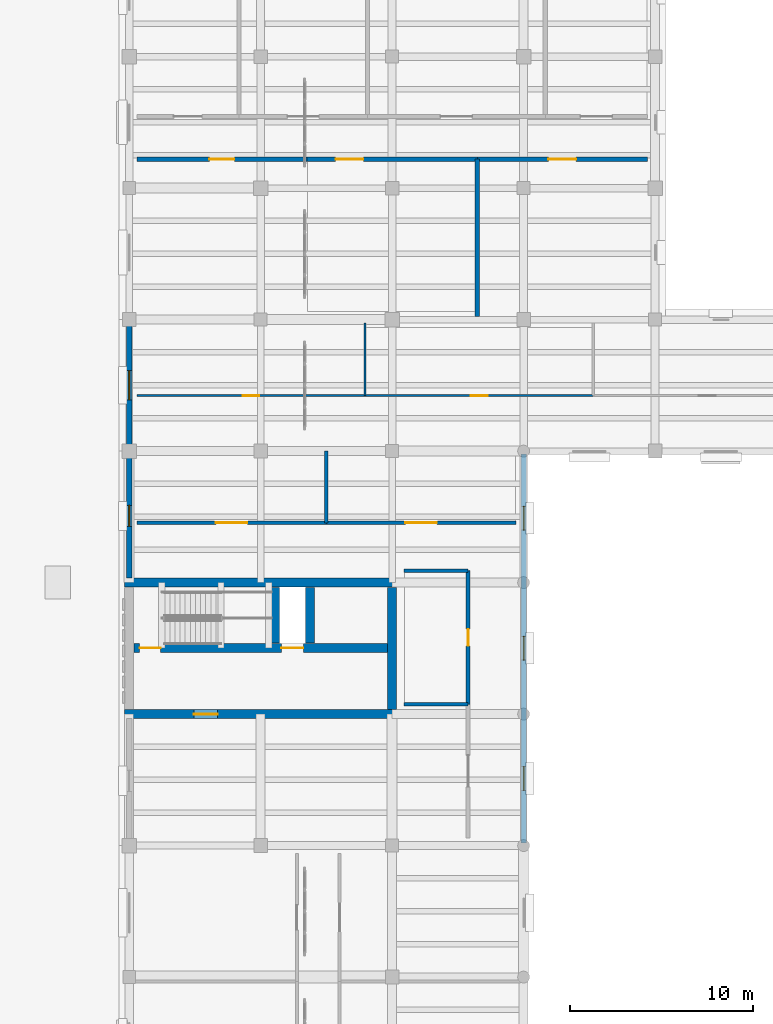
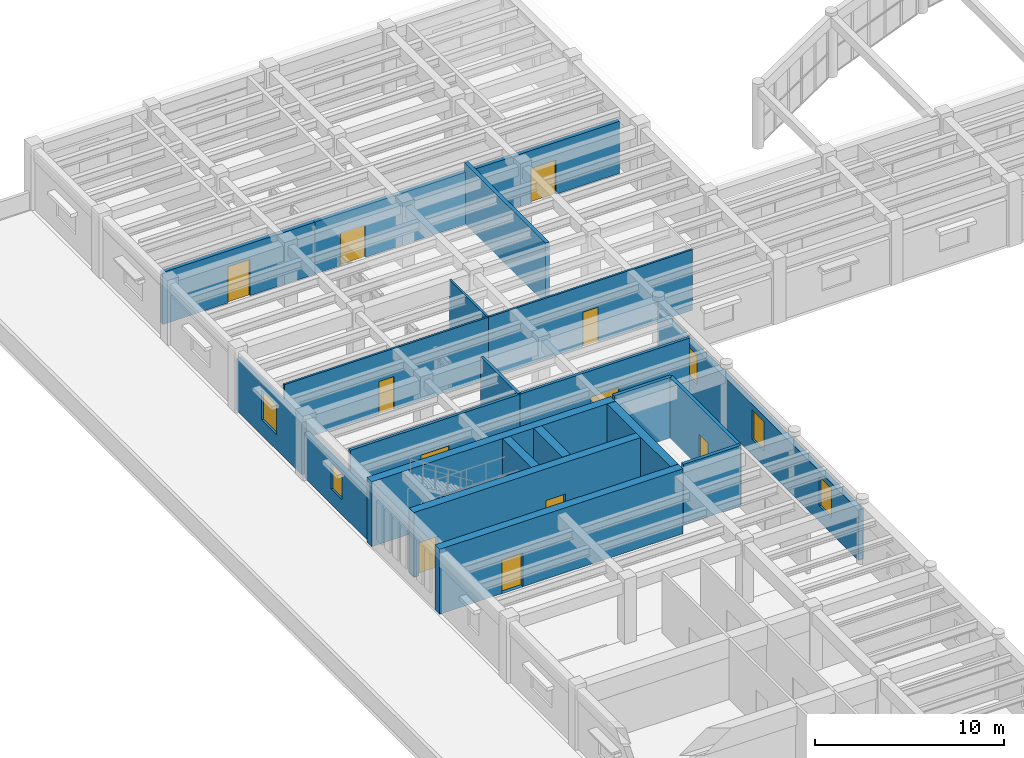
# One storey, part 54 of 76: 22 walls, 11 doors, 5 windows, 16 openings.
"""IFC4 building model written with IfcOpenShell, lengths in metres."""

from ifc_helpers import new_model, si_unit, direction, frame, frame_2d, origin, place, context, subcontext, project, spatial, rectangle, extrude, material, layer, layer_set, type_object, element, fill, save


model = new_model("IFC4")

# Units and contexts
model_context = context("Model", 3, precision=1e-05, world=origin(), true_north=direction((0.0, 1.0)))
body_context = subcontext(model_context, "Body", "Model", "MODEL_VIEW")
ifc_project = project(units=[si_unit("LENGTHUNIT", "METRE"), si_unit("AREAUNIT", "SQUARE_METRE"), si_unit("VOLUMEUNIT", "CUBIC_METRE"), si_unit("PLANEANGLEUNIT", "RADIAN"), si_unit("MASSUNIT", "GRAM", prefix="KILO")], contexts=[model_context])

# Site, building, storey
site_placement = place(None, origin())
site = spatial("IfcSite", under=ifc_project, at=site_placement, CompositionType="ELEMENT")
building_placement = place(site_placement, origin())
building = spatial("IfcBuilding", under=site, at=building_placement, Name="Mithqara Police Headquarters", CompositionType="ELEMENT")
storey_placement = place(building_placement, frame((0.0, 0.0, 5.39990234375)))
storey = spatial("IfcBuildingStorey", under=building, at=storey_placement, Name="L01", CompositionType="ELEMENT", Elevation=5.39990234375)

# Wall, opening, window
ifc_material_1 = material(Name="Ochre masonry cavity wall, 35 MPa", Category="masonry")
ifc_layer_1 = layer(ifc_material_1, 0.300048828125, Name="Ochre masonry cavity wall, 35 MPa")
ifc_layer_set_1 = layer_set([ifc_layer_1], Name="Ochre masonry cavity wall, 35 MPa")
wall_type_1 = type_object("IfcWallType", Name="EXT WALL OCHRE BRICK300", PredefinedType="SOLIDWALL", material=ifc_layer_set_1)
wall_1_placement = place(storey_placement, frame((7.800048828125, 85.64990234375, 0.0), z_axis=(0.0, 0.0, 1.0), x_axis=(0.0, -1.0, 0.0)))
wall_1 = element("IfcWall", 1, at=wall_1_placement, inside=storey, type_object=wall_type_1, Name="L01 Exterior Wall 16.1", PredefinedType="SOLIDWALL", context=body_context, shape_type="SweptSolid", body=[
    extrude(rectangle(XDim=6.89990234375, YDim=0.300048828125, at=frame_2d((3.449951171875, 0.0))), origin(), (0.0, 0.0, 1.0), 3.3701171875),
])
opening_1_placement = place(wall_1_placement, frame((2.64990234375, 0.0, 1.0)))
opening_1 = element("IfcOpeningElement", 2, at=opening_1_placement, cuts=wall_1, Name="Opening W-28", PredefinedType="OPENING", context=body_context, shape_type="SweptSolid", body=[
    extrude(rectangle(XDim=1.60009765625, YDim=1.89990234375, at=frame_2d((0.800048828125, 0.949951171875))), frame((0.0, 0.16015625, 0.0), z_axis=(0.0, -1.0, 0.0), x_axis=(1.0, 0.0, 0.0)), (0.0, 0.0, 1.0), 0.320068359375),
])
ifc_material_2 = material(Name="Spectrally selective double low-e glass", Category="glass")
window_type_1 = type_object("IfcWindowType", Name="WINDOW 1600X1900", PartitioningType="SINGLE_PANEL", PredefinedType="WINDOW", material=ifc_material_2)
window_1_placement = place(opening_1_placement, origin())
window_1 = element("IfcWindow", 3, at=window_1_placement, inside=storey, type_object=window_type_1, Name="L01 Deep-Set Punched Window 16.1", OverallHeight=1.89990234375, OverallWidth=1.60009765625, PartitioningType="SINGLE_PANEL", PredefinedType="WINDOW", context=body_context, shape_type="SweptSolid", body=[
    extrude(rectangle(XDim=1.60009765625, YDim=1.89990234375, at=frame_2d((0.800048828125, 0.949951171875))), frame((0.0, 0.030029296875, 0.0), z_axis=(0.0, -1.0, 0.0), x_axis=(1.0, 0.0, 0.0)), (0.0, 0.0, 1.0), 0.06005859375),
])
fill(opening_1, window_1)

wall_2_placement = place(storey_placement, frame((7.800048828125, 78.449951171875, 0.0), z_axis=(0.0, 0.0, 1.0), x_axis=(0.0, -1.0, 0.0)))
wall_2 = element("IfcWall", 4, at=wall_2_placement, inside=storey, type_object=wall_type_1, Name="L01 Exterior Wall 17.1", PredefinedType="SOLIDWALL", context=body_context, shape_type="SweptSolid", body=[
    extrude(rectangle(XDim=6.800048828125, YDim=0.300048828125, at=frame_2d((3.39990234375, 0.0))), origin(), (0.0, 0.0, 1.0), 2.920166015625),
])
opening_2_placement = place(wall_2_placement, frame((2.824951171875, 0.0, 1.0)))
opening_2 = element("IfcOpeningElement", 5, at=opening_2_placement, cuts=wall_2, Name="Opening W-12", PredefinedType="OPENING", context=body_context, shape_type="SweptSolid", body=[
    extrude(rectangle(XDim=1.14990234375, YDim=1.64990234375, at=frame_2d((0.574951171875, 0.824951171875))), frame((0.0, 0.16015625, 0.0), z_axis=(0.0, -1.0, 0.0), x_axis=(1.0, 0.0, 0.0)), (0.0, 0.0, 1.0), 0.320068359375),
])
window_type_2 = type_object("IfcWindowType", Name="WINDOW 1150X1650", PartitioningType="SINGLE_PANEL", PredefinedType="WINDOW", material=ifc_material_2)
window_2_placement = place(opening_2_placement, origin())
window_2 = element("IfcWindow", 6, at=window_2_placement, inside=storey, type_object=window_type_2, Name="L01 Deep-Set Punched Window 17.1", OverallHeight=1.64990234375, OverallWidth=1.14990234375, PartitioningType="SINGLE_PANEL", PredefinedType="WINDOW", context=body_context, shape_type="SweptSolid", body=[
    extrude(rectangle(XDim=1.14990234375, YDim=1.64990234375, at=frame_2d((0.574951171875, 0.824951171875))), frame((0.0, 0.030029296875, 0.0), z_axis=(0.0, -1.0, 0.0), x_axis=(1.0, 0.0, 0.0)), (0.0, 0.0, 1.0), 0.06005859375),
])
fill(opening_2, window_2)

# Wall, openings, windows
wall_3_placement = place(storey_placement, frame((29.39990234375, 57.14990234375, 0.0), z_axis=(0.0, 0.0, 1.0), x_axis=(0.0, 1.0, 0.0)))
wall_3 = element("IfcWall", 7, at=wall_3_placement, inside=storey, type_object=wall_type_1, Name="L01 Exterior Wall 2.1", PredefinedType="SOLIDWALL", context=body_context, shape_type="SweptSolid", body=[
    extrude(rectangle(XDim=21.300048828125, YDim=0.300048828125, at=frame_2d((10.64990234375, 0.0))), origin(), (0.0, 0.0, 1.0), 3.27001953125),
])
opening_3_placement = place(wall_3_placement, frame((2.875, 0.0, 1.0)))
opening_3 = element("IfcOpeningElement", 8, at=opening_3_placement, cuts=wall_3, Name="Opening W-18", PredefinedType="OPENING", context=body_context, shape_type="SweptSolid", body=[
    extrude(rectangle(XDim=1.300048828125, YDim=1.89990234375, at=frame_2d((0.64990234375, 0.949951171875))), frame((0.0, 0.16015625, 0.0), z_axis=(0.0, -1.0, 0.0), x_axis=(1.0, 0.0, 0.0)), (0.0, 0.0, 1.0), 0.320068359375),
])
opening_4_placement = place(wall_3_placement, frame((10.0, 0.0, 1.0)))
opening_4 = element("IfcOpeningElement", 9, at=opening_4_placement, cuts=wall_3, Name="Opening W-18", PredefinedType="OPENING", context=body_context, shape_type="SweptSolid", body=[
    extrude(rectangle(XDim=1.300048828125, YDim=1.89990234375, at=frame_2d((0.64990234375, 0.949951171875))), frame((0.0, 0.16015625, 0.0), z_axis=(0.0, -1.0, 0.0), x_axis=(1.0, 0.0, 0.0)), (0.0, 0.0, 1.0), 0.320068359375),
])
opening_5_placement = place(wall_3_placement, frame((17.125, 0.0, 1.0)))
opening_5 = element("IfcOpeningElement", 10, at=opening_5_placement, cuts=wall_3, Name="Opening W-18", PredefinedType="OPENING", context=body_context, shape_type="SweptSolid", body=[
    extrude(rectangle(XDim=1.300048828125, YDim=1.89990234375, at=frame_2d((0.64990234375, 0.949951171875))), frame((0.0, 0.16015625, 0.0), z_axis=(0.0, -1.0, 0.0), x_axis=(1.0, 0.0, 0.0)), (0.0, 0.0, 1.0), 0.320068359375),
])
window_type_3 = type_object("IfcWindowType", Name="WINDOW 1300X1900", PartitioningType="SINGLE_PANEL", PredefinedType="WINDOW", material=ifc_material_2)
window_3_placement = place(opening_3_placement, origin())
window_3 = element("IfcWindow", 11, at=window_3_placement, inside=storey, type_object=window_type_3, Name="L01 Deep-Set Punched Window 2.1", OverallHeight=1.89990234375, OverallWidth=1.300048828125, PartitioningType="SINGLE_PANEL", PredefinedType="WINDOW", context=body_context, shape_type="SweptSolid", body=[
    extrude(rectangle(XDim=1.300048828125, YDim=1.89990234375, at=frame_2d((0.64990234375, 0.949951171875))), frame((0.0, 0.030029296875, 0.0), z_axis=(0.0, -1.0, 0.0), x_axis=(1.0, 0.0, 0.0)), (0.0, 0.0, 1.0), 0.06005859375),
])
fill(opening_3, window_3)
window_4_placement = place(opening_4_placement, origin())
window_4 = element("IfcWindow", 12, at=window_4_placement, inside=storey, type_object=window_type_3, Name="L01 Deep-Set Punched Window 2.2", OverallHeight=1.89990234375, OverallWidth=1.300048828125, PartitioningType="SINGLE_PANEL", PredefinedType="WINDOW", context=body_context, shape_type="SweptSolid", body=[
    extrude(rectangle(XDim=1.300048828125, YDim=1.89990234375, at=frame_2d((0.64990234375, 0.949951171875))), frame((0.0, 0.030029296875, 0.0), z_axis=(0.0, -1.0, 0.0), x_axis=(1.0, 0.0, 0.0)), (0.0, 0.0, 1.0), 0.06005859375),
])
fill(opening_4, window_4)
window_5_placement = place(opening_5_placement, origin())
window_5 = element("IfcWindow", 13, at=window_5_placement, inside=storey, type_object=window_type_3, Name="L01 Deep-Set Punched Window 2.3", OverallHeight=1.89990234375, OverallWidth=1.300048828125, PartitioningType="SINGLE_PANEL", PredefinedType="WINDOW", context=body_context, shape_type="SweptSolid", body=[
    extrude(rectangle(XDim=1.300048828125, YDim=1.89990234375, at=frame_2d((0.64990234375, 0.949951171875))), frame((0.0, 0.030029296875, 0.0), z_axis=(0.0, -1.0, 0.0), x_axis=(1.0, 0.0, 0.0)), (0.0, 0.0, 1.0), 0.06005859375),
])
fill(opening_5, window_5)

# Wall, opening, door
ifc_material_3 = material(Name="Gypsum acoustic stud partition", Category="gypsum")
ifc_layer_2 = layer(ifc_material_3, 0.1201171875, Name="Gypsum acoustic stud partition")
ifc_layer_set_2 = layer_set([ifc_layer_2], Name="Gypsum acoustic stud partition")
wall_type_2 = type_object("IfcWallType", Name="PART WALL 120", PredefinedType="PARTITIONING", material=ifc_layer_set_2)
wall_4_placement = place(storey_placement, frame((8.219970703125, 81.639892578125, 0.0), z_axis=(0.0, 0.0, 1.0), x_axis=(1.0, 0.0, 0.0)))
wall_4 = element("IfcWall", 14, at=wall_4_placement, inside=storey, type_object=wall_type_2, Name="L01 Corridor Wall Civic Gallery Concourse", PredefinedType="PARTITIONING", context=body_context, shape_type="SweptSolid", body=[
    extrude(rectangle(XDim=12.4951171875, YDim=0.1201171875, at=frame_2d((6.24755859375, 0.0))), origin(), (0.0, 0.0, 1.0), 3.920166015625),
])
opening_6_placement = place(wall_4_placement, frame((5.78759765625, 0.0, 0.0)))
opening_6 = element("IfcOpeningElement", 15, at=opening_6_placement, cuts=wall_4, Name="Opening D-01", PredefinedType="OPENING", context=body_context, shape_type="SweptSolid", body=[
    extrude(rectangle(XDim=0.919921875, YDim=2.10009765625, at=frame_2d((0.4599609375, 1.050048828125))), frame((0.0, 0.070068359375, 0.0), z_axis=(0.0, -1.0, 0.0), x_axis=(1.0, 0.0, 0.0)), (0.0, 0.0, 1.0), 0.14013671875),
])
ifc_material_4 = material(Name="Acoustic solid-core timber leaf", Category="wood")
door_type_1 = type_object("IfcDoorType", Name="INT DOOR 920X2100", OperationType="NOTDEFINED", PredefinedType="DOOR", material=ifc_material_4)
door_1_placement = place(opening_6_placement, origin())
door_1 = element("IfcDoor", 16, at=door_1_placement, inside=storey, type_object=door_type_1, Name="Civic Gallery Concourse Entry Door", OperationType="SINGLE_SWING_RIGHT", OverallHeight=2.10009765625, OverallWidth=0.919921875, PredefinedType="DOOR", context=body_context, shape_type="SweptSolid", body=[
    extrude(rectangle(XDim=0.919921875, YDim=2.10009765625, at=frame_2d((0.4599609375, 1.050048828125))), frame((0.0, 0.02490234375, 0.0), z_axis=(0.0, -1.0, 0.0), x_axis=(1.0, 0.0, 0.0)), (0.0, 0.0, 1.0), 0.050048828125),
])
fill(opening_6, door_1)

# Wall
wall_5_placement = place(storey_placement, frame((20.715087890625, 81.639892578125, 0.0), z_axis=(0.0, 0.0, 1.0), x_axis=(0.0, 1.0, 0.0)))
element("IfcWall", 17, at=wall_5_placement, inside=storey, type_object=wall_type_2, Name="L01 Room Partition Civic Gallery Concourse", PredefinedType="PARTITIONING", context=body_context, shape_type="SweptSolid", body=[
    extrude(rectangle(XDim=3.980224609375, YDim=0.1201171875, at=frame_2d((1.990234375, 0.0))), origin(), (0.0, 0.0, 1.0), 3.920166015625),
])

# Wall, opening, door
wall_6_placement = place(storey_placement, frame((20.715087890625, 81.639892578125, 0.0), z_axis=(0.0, 0.0, 1.0), x_axis=(1.0, 0.0, 0.0)))
wall_6 = element("IfcWall", 18, at=wall_6_placement, inside=storey, type_object=wall_type_2, Name="L01 Corridor Wall Social Worker Liaison Room", PredefinedType="PARTITIONING", context=body_context, shape_type="SweptSolid", body=[
    extrude(rectangle(XDim=12.494873046875, YDim=0.1201171875, at=frame_2d((6.24755859375, 0.0))), origin(), (0.0, 0.0, 1.0), 3.920166015625),
])
opening_7_placement = place(wall_6_placement, frame((5.78759765625, 0.0, 0.0)))
opening_7 = element("IfcOpeningElement", 19, at=opening_7_placement, cuts=wall_6, Name="Opening D-02", PredefinedType="OPENING", context=body_context, shape_type="SweptSolid", body=[
    extrude(rectangle(XDim=0.919921875, YDim=2.219970703125, at=frame_2d((0.4599609375, 1.10986328125))), frame((0.0, 0.070068359375, 0.0), z_axis=(0.0, -1.0, 0.0), x_axis=(1.0, 0.0, 0.0)), (0.0, 0.0, 1.0), 0.14013671875),
])
door_type_2 = type_object("IfcDoorType", Name="INT DOOR 920X2220", OperationType="NOTDEFINED", PredefinedType="DOOR", material=ifc_material_4)
door_2_placement = place(opening_7_placement, origin())
door_2 = element("IfcDoor", 20, at=door_2_placement, inside=storey, type_object=door_type_2, Name="Social Worker Liaison Room Entry Door", OperationType="SINGLE_SWING_LEFT", OverallHeight=2.219970703125, OverallWidth=0.919921875, PredefinedType="DOOR", context=body_context, shape_type="SweptSolid", body=[
    extrude(rectangle(XDim=0.919921875, YDim=2.219970703125, at=frame_2d((0.4599609375, 1.10986328125))), frame((0.0, 0.02490234375, 0.0), z_axis=(0.0, -1.0, 0.0), x_axis=(1.0, 0.0, 0.0)), (0.0, 0.0, 1.0), 0.050048828125),
])
fill(opening_7, door_2)

ifc_material_5 = material(Name="Concrete C40/50", Category="concrete")
ifc_layer_3 = layer(ifc_material_5, 0.179931640625, Name="Concrete C40/50")
ifc_layer_set_3 = layer_set([ifc_layer_3], Name="Concrete C40/50")
wall_type_3 = type_object("IfcWallType", Name="PART WALL 180", PredefinedType="PARTITIONING", material=ifc_layer_set_3)
wall_7_placement = place(storey_placement, frame((8.219970703125, 74.669921875, 0.0), z_axis=(0.0, 0.0, 1.0), x_axis=(1.0, 0.0, 0.0)))
wall_7 = element("IfcWall", 21, at=wall_7_placement, inside=storey, type_object=wall_type_3, Name="L01 Corridor Wall Rapid Response Operations Room", PredefinedType="PARTITIONING", context=body_context, shape_type="SweptSolid", body=[
    extrude(rectangle(XDim=10.380126953125, YDim=0.179931640625, at=frame_2d((5.18994140625, 0.0))), origin(), (0.0, 0.0, 1.0), 3.920166015625),
])
opening_8_placement = place(wall_7_placement, frame((4.330078125, 0.0, 0.0)))
opening_8 = element("IfcOpeningElement", 22, at=opening_8_placement, cuts=wall_7, Name="Opening D-22", PredefinedType="OPENING", context=body_context, shape_type="SweptSolid", body=[
    extrude(rectangle(XDim=1.719970703125, YDim=2.10009765625, at=frame_2d((0.85986328125, 1.050048828125))), frame((0.0, 0.10009765625, 0.0), z_axis=(0.0, -1.0, 0.0), x_axis=(1.0, 0.0, 0.0)), (0.0, 0.0, 1.0), 0.199951171875),
])
ifc_material_6 = material(Name="Bronze anodised aluminium 6063-T6", Category="aluminium")
door_type_3 = type_object("IfcDoorType", Name="INT DOOR 1720X2100", OperationType="NOTDEFINED", PredefinedType="DOOR", material=ifc_material_6)
door_3_placement = place(opening_8_placement, origin())
door_3 = element("IfcDoor", 23, at=door_3_placement, inside=storey, type_object=door_type_3, Name="Rapid Response Operations Room Entry Door", OperationType="DOUBLE_DOOR_SINGLE_SWING", OverallHeight=2.10009765625, OverallWidth=1.719970703125, PredefinedType="DOOR", context=body_context, shape_type="SweptSolid", body=[
    extrude(rectangle(XDim=1.719970703125, YDim=2.10009765625, at=frame_2d((0.85986328125, 1.050048828125))), frame((0.0, 0.02490234375, 0.0), z_axis=(0.0, -1.0, 0.0), x_axis=(1.0, 0.0, 0.0)), (0.0, 0.0, 1.0), 0.050048828125),
])
fill(opening_8, door_3)

# Wall
wall_8_placement = place(storey_placement, frame((18.60009765625, 74.669921875, 0.0), z_axis=(0.0, 0.0, 1.0), x_axis=(0.0, 1.0, 0.0)))
element("IfcWall", 24, at=wall_8_placement, inside=storey, type_object=wall_type_3, Name="L01 Room Partition Rapid Response Operations Room", PredefinedType="PARTITIONING", context=body_context, shape_type="SweptSolid", body=[
    extrude(rectangle(XDim=3.93017578125, YDim=0.179931640625, at=frame_2d((1.965087890625, 0.0))), origin(), (0.0, 0.0, 1.0), 3.920166015625),
])

# Wall, opening, door
wall_9_placement = place(storey_placement, frame((18.60009765625, 74.669921875, 0.0), z_axis=(0.0, 0.0, 1.0), x_axis=(1.0, 0.0, 0.0)))
wall_9 = element("IfcWall", 25, at=wall_9_placement, inside=storey, type_object=wall_type_3, Name="L01 Corridor Wall Maritime and Coastal Liaison Office", PredefinedType="PARTITIONING", context=body_context, shape_type="SweptSolid", body=[
    extrude(rectangle(XDim=10.3798828125, YDim=0.179931640625, at=frame_2d((5.18994140625, 0.0))), origin(), (0.0, 0.0, 1.0), 3.920166015625),
])
opening_9_placement = place(wall_9_placement, frame((4.330078125, 0.0, 0.0)))
opening_9 = element("IfcOpeningElement", 26, at=opening_9_placement, cuts=wall_9, Name="Opening D-23", PredefinedType="OPENING", context=body_context, shape_type="SweptSolid", body=[
    extrude(rectangle(XDim=1.719970703125, YDim=2.219970703125, at=frame_2d((0.85986328125, 1.10986328125))), frame((0.0, 0.10009765625, 0.0), z_axis=(0.0, -1.0, 0.0), x_axis=(1.0, 0.0, 0.0)), (0.0, 0.0, 1.0), 0.199951171875),
])
door_type_4 = type_object("IfcDoorType", Name="INT DOOR 1720X2220", OperationType="NOTDEFINED", PredefinedType="DOOR", material=ifc_material_6)
door_4_placement = place(opening_9_placement, origin())
door_4 = element("IfcDoor", 27, at=door_4_placement, inside=storey, type_object=door_type_4, Name="Maritime and Coastal Liaison Office Entry Door", OperationType="DOUBLE_DOOR_SINGLE_SWING", OverallHeight=2.219970703125, OverallWidth=1.719970703125, PredefinedType="DOOR", context=body_context, shape_type="SweptSolid", body=[
    extrude(rectangle(XDim=1.719970703125, YDim=2.219970703125, at=frame_2d((0.85986328125, 1.10986328125))), frame((0.0, 0.02490234375, 0.0), z_axis=(0.0, -1.0, 0.0), x_axis=(1.0, 0.0, 0.0)), (0.0, 0.0, 1.0), 0.050048828125),
])
fill(opening_9, door_4)

# Walls
ifc_layer_4 = layer(ifc_material_5, 0.2099609375, Name="Concrete C40/50")
ifc_layer_set_4 = layer_set([ifc_layer_4], Name="Concrete C40/50")
wall_type_4 = type_object("IfcWallType", Name="PART WALL 210", PredefinedType="PARTITIONING", material=ifc_layer_set_4)
for number, where, z_axis, x_axis, name in (
    (28, (22.85009765625, 72.050048828125, 0.0), (0.0, 0.0, 1.0), (1.0, 0.0, 0.0), "L01 Partition End Closure E1"),
    (29, (22.85009765625, 64.735107421875, 0.0), (0.0, 0.0, 1.0), (1.0, 0.0, 0.0), "L01 Room Partition Rapid Response Operations Room"),
):
    element("IfcWall", number, at=place(storey_placement, frame(where, z_axis=z_axis, x_axis=x_axis)), inside=storey, type_object=wall_type_4, Name=name, PredefinedType="PARTITIONING", context=body_context, shape_type="SweptSolid", body=[
        extrude(rectangle(XDim=3.510009765625, YDim=0.2099609375, at=frame_2d((1.7548828125, 0.0))), origin(), (0.0, 0.0, 1.0), 3.920166015625),
    ])

# Wall, opening, door
wall_10_placement = place(storey_placement, frame((26.360107421875, 64.735107421875, 0.0), z_axis=(0.0, 0.0, 1.0), x_axis=(0.0, 1.0, 0.0)))
wall_10 = element("IfcWall", 30, at=wall_10_placement, inside=storey, type_object=wall_type_4, Name="L01 Corridor Wall Maritime and Coastal Liaison Office", PredefinedType="PARTITIONING", context=body_context, shape_type="SweptSolid", body=[
    extrude(rectangle(XDim=7.31494140625, YDim=0.2099609375, at=frame_2d((3.657470703125, 0.0))), origin(), (0.0, 0.0, 1.0), 3.920166015625),
])
opening_10_placement = place(wall_10_placement, frame((3.197509765625, 0.0, 0.0)))
opening_10 = element("IfcOpeningElement", 31, at=opening_10_placement, cuts=wall_10, Name="Opening D-01", PredefinedType="OPENING", context=body_context, shape_type="SweptSolid", body=[
    extrude(rectangle(XDim=0.919921875, YDim=2.10009765625, at=frame_2d((0.4599609375, 1.050048828125))), frame((0.0, 0.114990234375, 0.0), z_axis=(0.0, -1.0, 0.0), x_axis=(1.0, 0.0, 0.0)), (0.0, 0.0, 1.0), 0.22998046875),
])
door_5_placement = place(opening_10_placement, frame((0.919921875, 0.0, 0.0), z_axis=(0.0, 0.0, 1.0), x_axis=(-1.0, 0.0, 0.0)))
door_5 = element("IfcDoor", 32, at=door_5_placement, inside=storey, type_object=door_type_1, Name="Maritime and Coastal Liaison Office Entry Door", OperationType="SINGLE_SWING_RIGHT", OverallHeight=2.10009765625, OverallWidth=0.919921875, PredefinedType="DOOR", context=body_context, shape_type="SweptSolid", body=[
    extrude(rectangle(XDim=0.919921875, YDim=2.10009765625, at=frame_2d((0.4599609375, 1.050048828125))), frame((0.0, 0.02490234375, 0.0), z_axis=(0.0, -1.0, 0.0), x_axis=(1.0, 0.0, 0.0)), (0.0, 0.0, 1.0), 0.050048828125),
])
fill(opening_10, door_5)

ifc_layer_5 = layer(ifc_material_5, 0.22998046875, Name="Concrete C40/50")
ifc_layer_set_5 = layer_set([ifc_layer_5], Name="Concrete C40/50")
wall_type_5 = type_object("IfcWallType", Name="PART WALL 230", PredefinedType="PARTITIONING", material=ifc_layer_set_5)
wall_11_placement = place(storey_placement, frame((8.219970703125, 94.580078125, 0.0), z_axis=(0.0, 0.0, 1.0), x_axis=(1.0, 0.0, 0.0)))
wall_11 = element("IfcWall", 33, at=wall_11_placement, inside=storey, type_object=wall_type_5, Name="L01 Corridor Wall Passport and Permits Office", PredefinedType="PARTITIONING", context=body_context, shape_type="SweptSolid", body=[
    extrude(rectangle(XDim=9.320068359375, YDim=0.22998046875, at=frame_2d((4.66015625, 0.0))), origin(), (0.0, 0.0, 1.0), 3.3701171875),
])
opening_11_placement = place(wall_11_placement, frame((3.97998046875, 0.0, 0.0)))
opening_11 = element("IfcOpeningElement", 34, at=opening_11_placement, cuts=wall_11, Name="Opening D-18", PredefinedType="OPENING", context=body_context, shape_type="SweptSolid", body=[
    extrude(rectangle(XDim=1.360107421875, YDim=2.35009765625, at=frame_2d((0.68017578125, 1.175048828125))), frame((0.0, 0.125, 0.0), z_axis=(0.0, -1.0, 0.0), x_axis=(1.0, 0.0, 0.0)), (0.0, 0.0, 1.0), 0.25),
])
door_type_5 = type_object("IfcDoorType", Name="INT DOOR 1360X2350", OperationType="NOTDEFINED", PredefinedType="DOOR", material=ifc_material_6)
door_6_placement = place(opening_11_placement, frame((1.360107421875, 0.0, 0.0), z_axis=(0.0, 0.0, 1.0), x_axis=(-1.0, 0.0, 0.0)))
door_6 = element("IfcDoor", 35, at=door_6_placement, inside=storey, type_object=door_type_5, Name="Passport and Permits Office Entry Door", OperationType="SINGLE_SWING_LEFT", OverallHeight=2.35009765625, OverallWidth=1.360107421875, PredefinedType="DOOR", context=body_context, shape_type="SweptSolid", body=[
    extrude(rectangle(XDim=1.360107421875, YDim=2.35009765625, at=frame_2d((0.68017578125, 1.175048828125))), frame((0.0, 0.02490234375, 0.0), z_axis=(0.0, -1.0, 0.0), x_axis=(1.0, 0.0, 0.0)), (0.0, 0.0, 1.0), 0.050048828125),
])
fill(opening_11, door_6)

wall_12_placement = place(storey_placement, frame((17.5400390625, 94.580078125, 0.0), z_axis=(0.0, 0.0, 1.0), x_axis=(1.0, 0.0, 0.0)))
wall_12 = element("IfcWall", 36, at=wall_12_placement, inside=storey, type_object=wall_type_5, Name="L01 Corridor Wall Community Mediation Suite", PredefinedType="PARTITIONING", context=body_context, shape_type="SweptSolid", body=[
    extrude(rectangle(XDim=9.320068359375, YDim=0.22998046875, at=frame_2d((4.66015625, 0.0))), origin(), (0.0, 0.0, 1.0), 3.3701171875),
])
opening_12_placement = place(wall_12_placement, frame((1.570068359375, 0.0, 0.0)))
opening_12 = element("IfcOpeningElement", 37, at=opening_12_placement, cuts=wall_12, Name="Opening D-19", PredefinedType="OPENING", context=body_context, shape_type="SweptSolid", body=[
    extrude(rectangle(XDim=1.52001953125, YDim=2.10009765625, at=frame_2d((0.760009765625, 1.050048828125))), frame((0.0, 0.125, 0.0), z_axis=(0.0, -1.0, 0.0), x_axis=(1.0, 0.0, 0.0)), (0.0, 0.0, 1.0), 0.25),
])
door_type_6 = type_object("IfcDoorType", Name="INT DOOR 1520X2100", OperationType="NOTDEFINED", PredefinedType="DOOR", material=ifc_material_6)
door_7_placement = place(opening_12_placement, frame((1.52001953125, 0.0, 0.0), z_axis=(0.0, 0.0, 1.0), x_axis=(-1.0, 0.0, 0.0)))
door_7 = element("IfcDoor", 38, at=door_7_placement, inside=storey, type_object=door_type_6, Name="Community Mediation Suite Entry Door", OperationType="DOUBLE_DOOR_SINGLE_SWING", OverallHeight=2.10009765625, OverallWidth=1.52001953125, PredefinedType="DOOR", context=body_context, shape_type="SweptSolid", body=[
    extrude(rectangle(XDim=1.52001953125, YDim=2.10009765625, at=frame_2d((0.760009765625, 1.050048828125))), frame((0.0, 0.02490234375, 0.0), z_axis=(0.0, -1.0, 0.0), x_axis=(1.0, 0.0, 0.0)), (0.0, 0.0, 1.0), 0.050048828125),
])
fill(opening_12, door_7)

# Wall
wall_13_placement = place(storey_placement, frame((26.860107421875, 85.97998046875, 0.0), z_axis=(0.0, 0.0, 1.0), x_axis=(0.0, 1.0, 0.0)))
element("IfcWall", 39, at=wall_13_placement, inside=storey, type_object=wall_type_5, Name="L01 Room Partition Community Mediation Suite", PredefinedType="PARTITIONING", context=body_context, shape_type="SweptSolid", body=[
    extrude(rectangle(XDim=8.60009765625, YDim=0.22998046875, at=frame_2d((4.300048828125, 0.0))), origin(), (0.0, 0.0, 1.0), 3.920166015625),
])

# Wall, opening, door
wall_14_placement = place(storey_placement, frame((26.860107421875, 94.580078125, 0.0), z_axis=(0.0, 0.0, 1.0), x_axis=(1.0, 0.0, 0.0)))
wall_14 = element("IfcWall", 40, at=wall_14_placement, inside=storey, type_object=wall_type_5, Name="L01 Corridor Wall Public Records Counter", PredefinedType="PARTITIONING", context=body_context, shape_type="SweptSolid", body=[
    extrude(rectangle(XDim=9.31982421875, YDim=0.22998046875, at=frame_2d((4.659912109375, 0.0))), origin(), (0.0, 0.0, 1.0), 3.3701171875),
])
opening_13_placement = place(wall_14_placement, frame((3.89990234375, 0.0, 0.0)))
opening_13 = element("IfcOpeningElement", 41, at=opening_13_placement, cuts=wall_14, Name="Opening D-20", PredefinedType="OPENING", context=body_context, shape_type="SweptSolid", body=[
    extrude(rectangle(XDim=1.52001953125, YDim=2.219970703125, at=frame_2d((0.760009765625, 1.10986328125))), frame((0.0, 0.125, 0.0), z_axis=(0.0, -1.0, 0.0), x_axis=(1.0, 0.0, 0.0)), (0.0, 0.0, 1.0), 0.25),
])
door_type_7 = type_object("IfcDoorType", Name="INT DOOR 1520X2220", OperationType="NOTDEFINED", PredefinedType="DOOR", material=ifc_material_6)
door_8_placement = place(opening_13_placement, frame((1.52001953125, 0.0, 0.0), z_axis=(0.0, 0.0, 1.0), x_axis=(-1.0, 0.0, 0.0)))
door_8 = element("IfcDoor", 42, at=door_8_placement, inside=storey, type_object=door_type_7, Name="Public Records Counter Entry Door", OperationType="DOUBLE_DOOR_SINGLE_SWING", OverallHeight=2.219970703125, OverallWidth=1.52001953125, PredefinedType="DOOR", context=body_context, shape_type="SweptSolid", body=[
    extrude(rectangle(XDim=1.52001953125, YDim=2.219970703125, at=frame_2d((0.760009765625, 1.10986328125))), frame((0.0, 0.02490234375, 0.0), z_axis=(0.0, -1.0, 0.0), x_axis=(1.0, 0.0, 0.0)), (0.0, 0.0, 1.0), 0.050048828125),
])
fill(opening_13, door_8)

# Wall
ifc_material_7 = material(Name="Concrete C50/60", Category="concrete")
ifc_layer_6 = layer(ifc_material_7, 0.5, Name="Concrete C50/60")
ifc_layer_set_6 = layer_set([ifc_layer_6], Name="Concrete C50/60")
wall_type_6 = type_object("IfcWallType", Name="SHEAR WALL 500", PredefinedType="SHEAR", material=ifc_layer_set_6)
wall_15_placement = place(storey_placement, frame((7.550048828125, 71.39990234375, 0.0), z_axis=(0.0, 0.0, 1.0), x_axis=(1.0, 0.0, 0.0)))
element("IfcWall", 43, at=wall_15_placement, inside=storey, type_object=wall_type_6, Name="Core C3 Operations West Shear Wall N", PredefinedType="SHEAR", context=body_context, shape_type="SweptSolid", body=[
    extrude(rectangle(XDim=14.89990234375, YDim=0.5, at=frame_2d((7.449951171875, 0.0))), origin(), (0.0, 0.0, 1.0), 4.2001953125),
])

# Wall, opening, door
wall_16_placement = place(storey_placement, frame((7.550048828125, 64.199951171875, 0.0), z_axis=(0.0, 0.0, 1.0), x_axis=(1.0, 0.0, 0.0)))
wall_16 = element("IfcWall", 44, at=wall_16_placement, inside=storey, type_object=wall_type_6, Name="Core C3 Operations West Shear Wall S", PredefinedType="SHEAR", context=body_context, shape_type="SweptSolid", body=[
    extrude(rectangle(XDim=14.89990234375, YDim=0.5, at=frame_2d((7.449951171875, 0.0))), origin(), (0.0, 0.0, 1.0), 4.2001953125),
])
opening_14_placement = place(wall_16_placement, frame((3.800048828125, 0.0, 0.0)))
opening_14 = element("IfcOpeningElement", 45, at=opening_14_placement, cuts=wall_16, Name="Opening FD-02", PredefinedType="OPENING", context=body_context, shape_type="SweptSolid", body=[
    extrude(rectangle(XDim=1.300048828125, YDim=2.199951171875, at=frame_2d((0.64990234375, 1.10009765625))), frame((0.0, 0.260009765625, 0.0), z_axis=(0.0, -1.0, 0.0), x_axis=(1.0, 0.0, 0.0)), (0.0, 0.0, 1.0), 0.52001953125),
])
ifc_material_8 = material(Name="Steel S355JR", Category="steel")
door_type_8 = type_object("IfcDoorType", Name="CORE DOOR LOBBY 1300X2200", OperationType="NOTDEFINED", PredefinedType="DOOR", material=ifc_material_8)
door_9_placement = place(opening_14_placement, frame((1.300048828125, 0.0, 0.0), z_axis=(0.0, 0.0, 1.0), x_axis=(-1.0, 0.0, 0.0)))
door_9 = element("IfcDoor", 46, at=door_9_placement, inside=storey, type_object=door_type_8, Name="Core C3 Operations West Lobby Fire Door L01", OperationType="SINGLE_SWING_LEFT", OverallHeight=2.199951171875, OverallWidth=1.300048828125, PredefinedType="DOOR", context=body_context, shape_type="SweptSolid", body=[
    extrude(rectangle(XDim=1.300048828125, YDim=2.199951171875, at=frame_2d((0.64990234375, 1.10009765625))), frame((0.0, 0.02490234375, 0.0), z_axis=(0.0, -1.0, 0.0), x_axis=(1.0, 0.0, 0.0)), (0.0, 0.0, 1.0), 0.050048828125),
])
fill(opening_14, door_9)

# Wall
wall_17_placement = place(storey_placement, frame((22.199951171875, 64.4599609375, 0.0), z_axis=(0.0, 0.0, 1.0), x_axis=(0.0, 1.0, 0.0)))
element("IfcWall", 47, at=wall_17_placement, inside=storey, type_object=wall_type_6, Name="Core C3 Operations West Shear Wall E", PredefinedType="SHEAR", context=body_context, shape_type="SweptSolid", body=[
    extrude(rectangle(XDim=6.679931640625, YDim=0.5, at=frame_2d((3.33984375, 0.0))), origin(), (0.0, 0.0, 1.0), 4.2001953125),
])

# Wall, openings, doors
wall_18_placement = place(storey_placement, frame((8.06005859375, 67.820068359375, 0.0), z_axis=(0.0, 0.0, 1.0), x_axis=(1.0, 0.0, 0.0)))
wall_18 = element("IfcWall", 48, at=wall_18_placement, inside=storey, type_object=wall_type_6, Name="Core C3 Operations West Shear Wall M", PredefinedType="SHEAR", context=body_context, shape_type="SweptSolid", body=[
    extrude(rectangle(XDim=13.8798828125, YDim=0.5, at=frame_2d((6.93994140625, 0.0))), origin(), (0.0, 0.0, 1.0), 4.2001953125),
])
opening_15_placement = place(wall_18_placement, frame((8.080078125, 0.0, 0.0)))
opening_15 = element("IfcOpeningElement", 49, at=opening_15_placement, cuts=wall_18, Name="Opening LD-02", PredefinedType="OPENING", context=body_context, shape_type="SweptSolid", body=[
    extrude(rectangle(XDim=1.199951171875, YDim=2.14990234375, at=frame_2d((0.60009765625, 1.074951171875))), frame((0.0, 0.260009765625, 0.0), z_axis=(0.0, -1.0, 0.0), x_axis=(1.0, 0.0, 0.0)), (0.0, 0.0, 1.0), 0.52001953125),
])
opening_16_placement = place(wall_18_placement, frame((0.31494140625, 0.0, 0.0)))
opening_16 = element("IfcOpeningElement", 50, at=opening_16_placement, cuts=wall_18, Name="Opening FD-01", PredefinedType="OPENING", context=body_context, shape_type="SweptSolid", body=[
    extrude(rectangle(XDim=1.14990234375, YDim=2.14990234375, at=frame_2d((0.574951171875, 1.074951171875))), frame((0.0, 0.260009765625, 0.0), z_axis=(0.0, -1.0, 0.0), x_axis=(1.0, 0.0, 0.0)), (0.0, 0.0, 1.0), 0.52001953125),
])
door_type_9 = type_object("IfcDoorType", Name="CORE DOOR STAIR 1150X2150", OperationType="NOTDEFINED", PredefinedType="DOOR", material=ifc_material_8)
door_10_placement = place(opening_16_placement, origin())
door_10 = element("IfcDoor", 51, at=door_10_placement, inside=storey, type_object=door_type_9, Name="Stair ST-03 Fire Door L01", OperationType="SINGLE_SWING_RIGHT", OverallHeight=2.14990234375, OverallWidth=1.14990234375, PredefinedType="DOOR", context=body_context, shape_type="SweptSolid", body=[
    extrude(rectangle(XDim=1.14990234375, YDim=2.14990234375, at=frame_2d((0.574951171875, 1.074951171875))), frame((0.0, 0.02490234375, 0.0), z_axis=(0.0, -1.0, 0.0), x_axis=(1.0, 0.0, 0.0)), (0.0, 0.0, 1.0), 0.050048828125),
])
fill(opening_16, door_10)
door_type_10 = type_object("IfcDoorType", Name="LIFT DOOR 1200X2150", OperationType="DOUBLE_DOOR_SLIDING", PredefinedType="DOOR", material=ifc_material_8)
door_11_placement = place(opening_15_placement, frame((1.199951171875, 0.0, 0.0), z_axis=(0.0, 0.0, 1.0), x_axis=(-1.0, 0.0, 0.0)))
door_11 = element("IfcDoor", 52, at=door_11_placement, inside=storey, type_object=door_type_10, Name="Lift Landing Door LP-05-L01", OperationType="DOUBLE_DOOR_SLIDING", OverallHeight=2.14990234375, OverallWidth=1.199951171875, PredefinedType="DOOR", context=body_context, shape_type="SweptSolid", body=[
    extrude(rectangle(XDim=1.199951171875, YDim=2.14990234375, at=frame_2d((0.60009765625, 1.074951171875))), frame((0.0, 0.02490234375, 0.0), z_axis=(0.0, -1.0, 0.0), x_axis=(1.0, 0.0, 0.0)), (0.0, 0.0, 1.0), 0.050048828125),
])
fill(opening_15, door_11)

# Walls
for number, where, z_axis, x_axis, name in (
    (53, (15.780029296875, 68.080078125, 0.0), (0.0, 0.0, 1.0), (0.0, 1.0, 0.0), "Core C3 Operations West Shear Wall X"),
    (54, (17.699951171875, 68.080078125, 0.0), (0.0, 0.0, 1.0), (0.0, 1.0, 0.0), "Core C3 Operations West Shear Wall L1"),
):
    element("IfcWall", number, at=place(storey_placement, frame(where, z_axis=z_axis, x_axis=x_axis)), inside=storey, type_object=wall_type_6, Name=name, PredefinedType="SHEAR", context=body_context, shape_type="SweptSolid", body=[
        extrude(rectangle(XDim=3.059814453125, YDim=0.5, at=frame_2d((1.52978515625, 0.0))), origin(), (0.0, 0.0, 1.0), 4.2001953125),
    ])

save(model, "model.ifc")
